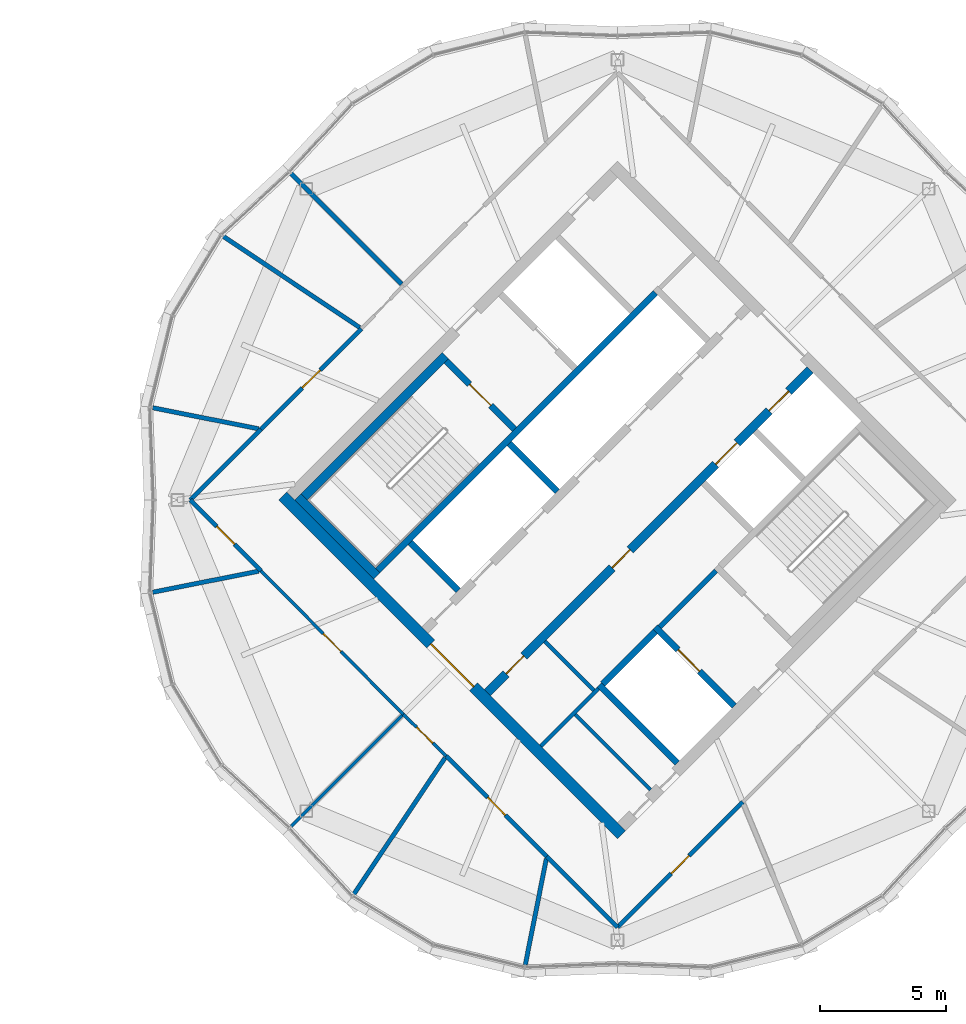
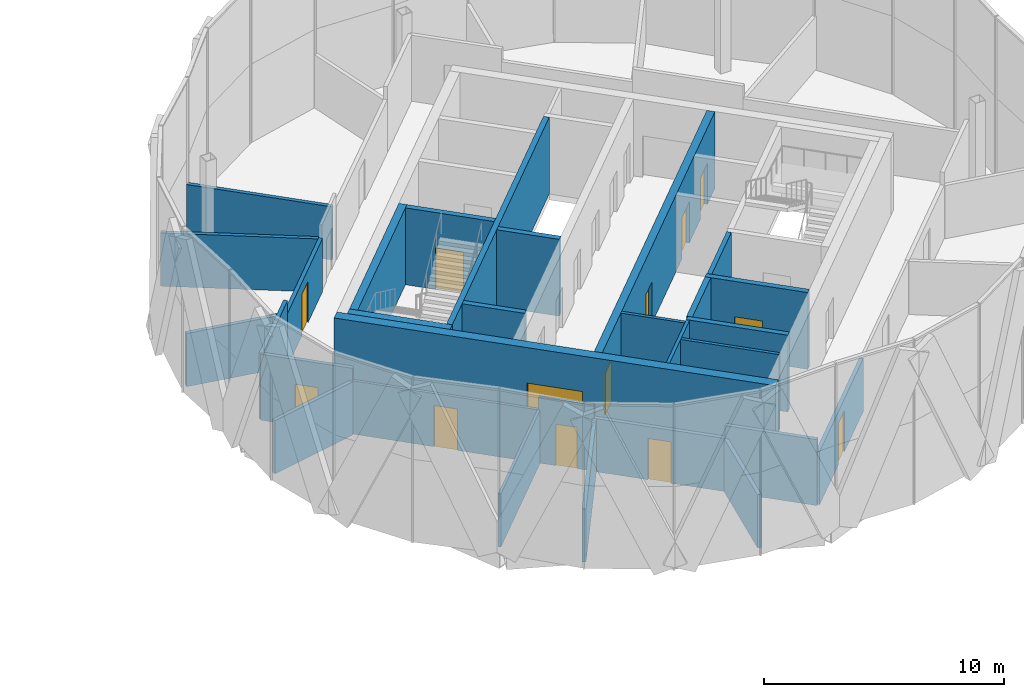
# One storey, part 17 of 22: 30 walls, 13 doors, 13 openings.
"""IFC4 building model written with IfcOpenShell, lengths in metres."""

from ifc_helpers import new_model, si_unit, direction, frame, frame_2d, origin, place, context, subcontext, project, spatial, rectangle, extrude, material, layer, layer_set, type_object, element, fill, save


model = new_model("IFC4")

# Units and contexts
model_context = context("Model", 3, precision=1e-05, world=origin(), true_north=direction((0.0, 1.0)))
body_context = subcontext(model_context, "Body", "Model", "MODEL_VIEW")
ifc_project = project(units=[si_unit("LENGTHUNIT", "METRE"), si_unit("AREAUNIT", "SQUARE_METRE"), si_unit("VOLUMEUNIT", "CUBIC_METRE"), si_unit("PLANEANGLEUNIT", "RADIAN"), si_unit("MASSUNIT", "GRAM", prefix="KILO")], contexts=[model_context])

# Site, building, storey
site_placement = place(None, origin())
site = spatial("IfcSite", under=ifc_project, at=site_placement, CompositionType="ELEMENT")
building_placement = place(site_placement, origin())
building = spatial("IfcBuilding", under=site, at=building_placement, Name="Ogive Gate Towers", CompositionType="ELEMENT")
storey_placement = place(building_placement, frame((0.0, 0.0, 285.60009765625)))
storey = spatial("IfcBuildingStorey", under=building, at=storey_placement, Name="L67", CompositionType="ELEMENT", Elevation=285.60009765625)

# Walls
ifc_material_1 = material(Name="Gypsum board acoustic partition")
ifc_layer_1 = layer(ifc_material_1, 0.175048828125)
ifc_layer_set_1 = layer_set([ifc_layer_1], Name="Acoustic partition 175")
wall_type_1 = type_object("IfcWallType", Name="Acoustic partition 175", PredefinedType="PARTITIONING", material=ifc_layer_set_1)
wall_1_placement = place(storey_placement, frame((23.00732421875, 12.99267578125, 0.0), z_axis=(0.0, 0.0, 1.0), x_axis=(0.707106781187, -0.707106781187, 0.0)))
element("IfcWall", 1, at=wall_1_placement, inside=storey, type_object=wall_type_1, Name="Partition T2-L67-005", PredefinedType="PARTITIONING", context=body_context, shape_type="SweptSolid", body=[
    extrude(rectangle(XDim=6.266845703125, YDim=0.175048828125, at=frame_2d((3.13330078125, 0.0))), origin(), (0.0, 0.0, 1.0), 2.699951171875),
])
wall_2_placement = place(storey_placement, frame((20.302490234375, 10.5, 0.0), z_axis=(0.0, 0.0, 1.0), x_axis=(0.831198479299, -0.555975798045, 0.0)))
element("IfcWall", 2, at=wall_2_placement, inside=storey, type_object=wall_type_1, Name="Partition T2-L67-006", PredefinedType="PARTITIONING", context=body_context, shape_type="SweptSolid", body=[
    extrude(rectangle(XDim=6.57763671875, YDim=0.175048828125, at=frame_2d((3.288818359375, 0.0))), origin(), (0.0, 0.0, 1.0), 2.699951171875),
])
for number, where, z_axis, x_axis, name in (
    (3, (17.559814453125, 3.658203125, 0.0), (0.0, 0.0, 1.0), (0.980890149708, -0.194562365851, 0.0), "Partition T2-L67-007"),
    (4, (17.559814453125, -3.658203125, 0.0), (0.0, 0.0, 1.0), (0.980890149708, 0.194562365851, 0.0), "Partition T2-L67-008"),
):
    element("IfcWall", number, at=place(storey_placement, frame(where, z_axis=z_axis, x_axis=x_axis)), inside=storey, type_object=wall_type_1, Name=name, PredefinedType="PARTITIONING", context=body_context, shape_type="SweptSolid", body=[
        extrude(rectangle(XDim=4.29150390625, YDim=0.175048828125, at=frame_2d((2.145751953125, 0.0))), origin(), (0.0, 0.0, 1.0), 2.699951171875),
    ])
wall_3_placement = place(storey_placement, frame((25.5, -15.697509765625, 0.0), z_axis=(0.0, 0.0, 1.0), x_axis=(0.555975798045, 0.831198479299, 0.0)))
element("IfcWall", 5, at=wall_3_placement, inside=storey, type_object=wall_type_1, Name="Partition T2-L67-010", PredefinedType="PARTITIONING", context=body_context, shape_type="SweptSolid", body=[
    extrude(rectangle(XDim=6.57763671875, YDim=0.175048828125, at=frame_2d((3.288818359375, 0.0))), origin(), (0.0, 0.0, 1.0), 2.699951171875),
])
wall_4_placement = place(storey_placement, frame((32.341796875, -18.440185546875, 0.0), z_axis=(0.0, 0.0, 1.0), x_axis=(0.194562365851, 0.980890149708, 0.0)))
element("IfcWall", 6, at=wall_4_placement, inside=storey, type_object=wall_type_1, Name="Partition T2-L67-011", PredefinedType="PARTITIONING", context=body_context, shape_type="SweptSolid", body=[
    extrude(rectangle(XDim=4.29150390625, YDim=0.175048828125, at=frame_2d((2.145751953125, 0.0))), origin(), (0.0, 0.0, 1.0), 2.699951171875),
])

# Wall, opening, door
wall_5_placement = place(storey_placement, frame((25.84228515625, 6.79443359375, 0.0), z_axis=(0.0, 0.0, 1.0), x_axis=(-0.70699854338, -0.707215002428, 0.0)))
wall_5 = element("IfcWall", 7, at=wall_5_placement, inside=storey, type_object=wall_type_1, Name="Partition T2-L67-025", PredefinedType="PARTITIONING", context=body_context, shape_type="SweptSolid", body=[
    extrude(rectangle(XDim=5.639404296875, YDim=0.175048828125, at=frame_2d((2.81982421875, 0.0))), origin(), (0.0, 0.0, 1.0), 2.699951171875),
])
opening_1_placement = place(wall_5_placement, frame((2.320068359375, 0.0, 0.0)))
opening_1 = element("IfcOpeningElement", 8, at=opening_1_placement, cuts=wall_5, Name="Opening T2-L67-D09", PredefinedType="OPENING", context=body_context, shape_type="SweptSolid", body=[
    extrude(rectangle(XDim=1.0, YDim=2.10009765625, at=frame_2d((0.5, 1.050048828125))), frame((0.0, 0.09765625, 0.0), z_axis=(0.0, -1.0, 0.0), x_axis=(1.0, 0.0, 0.0)), (0.0, 0.0, 1.0), 0.195068359375),
])
ifc_material_2 = material(Name="Timber door", Category="wood")
door_type_1 = type_object("IfcDoorType", Name="Door 1000", OperationType="NOTDEFINED", PredefinedType="DOOR", material=ifc_material_2)
door_1_placement = place(opening_1_placement, origin())
door_1 = element("IfcDoor", 9, at=door_1_placement, inside=storey, type_object=door_type_1, Name="Door T2-L67-D09", OperationType="SINGLE_SWING_LEFT", OverallHeight=2.10009765625, OverallWidth=1.0, PredefinedType="DOOR", context=body_context, shape_type="SweptSolid", body=[
    extrude(rectangle(XDim=1.0, YDim=2.10009765625, at=frame_2d((0.5, 1.050048828125))), frame((0.0, 0.02490234375, 0.0), z_axis=(0.0, -1.0, 0.0), x_axis=(1.0, 0.0, 0.0)), (0.0, 0.0, 1.0), 0.050048828125),
])
fill(opening_1, door_1)

wall_6_placement = place(storey_placement, frame((19.0576171875, 0.0, 0.0), z_axis=(0.0, 0.0, 1.0), x_axis=(0.706027724956, -0.708184193267, 0.0)))
wall_6 = element("IfcWall", 10, at=wall_6_placement, inside=storey, type_object=wall_type_1, Name="Partition T2-L67-026", PredefinedType="PARTITIONING", context=body_context, shape_type="SweptSolid", body=[
    extrude(rectangle(XDim=3.96240234375, YDim=0.175048828125, at=frame_2d((1.981201171875, 0.0))), origin(), (0.0, 0.0, 1.0), 3.349853515625),
])
opening_2_placement = place(wall_6_placement, frame((1.48095703125, 0.0, 0.0)))
opening_2 = element("IfcOpeningElement", 11, at=opening_2_placement, cuts=wall_6, Name="Opening T2-L67-D10", PredefinedType="OPENING", context=body_context, shape_type="SweptSolid", body=[
    extrude(rectangle(XDim=1.0, YDim=2.10009765625, at=frame_2d((0.5, 1.050048828125))), frame((0.0, 0.09765625, 0.0), z_axis=(0.0, -1.0, 0.0), x_axis=(1.0, 0.0, 0.0)), (0.0, 0.0, 1.0), 0.195068359375),
])
door_2_placement = place(opening_2_placement, origin())
door_2 = element("IfcDoor", 12, at=door_2_placement, inside=storey, type_object=door_type_1, Name="Door T2-L67-D10", OperationType="SINGLE_SWING_RIGHT", OverallHeight=2.10009765625, OverallWidth=1.0, PredefinedType="DOOR", context=body_context, shape_type="SweptSolid", body=[
    extrude(rectangle(XDim=1.0, YDim=2.10009765625, at=frame_2d((0.5, 1.050048828125))), frame((0.0, 0.02490234375, 0.0), z_axis=(0.0, -1.0, 0.0), x_axis=(1.0, 0.0, 0.0)), (0.0, 0.0, 1.0), 0.050048828125),
])
fill(opening_2, door_2)

# Wall
wall_7_placement = place(storey_placement, frame((21.855224609375, 2.80615234375, 0.0), z_axis=(0.0, 0.0, 1.0), x_axis=(-0.706027724956, -0.708184193267, 0.0)))
element("IfcWall", 13, at=wall_7_placement, inside=storey, type_object=wall_type_1, Name="Partition T2-L67-027", PredefinedType="PARTITIONING", context=body_context, shape_type="SweptSolid", body=[
    extrude(rectangle(XDim=3.96240234375, YDim=0.175048828125, at=frame_2d((1.981201171875, 0.0))), origin(), (0.0, 0.0, 1.0), 3.349853515625),
])

# Wall, opening, door
wall_8_placement = place(storey_placement, frame((29.20556640625, -10.15771484375, 0.0), z_axis=(0.0, 0.0, 1.0), x_axis=(0.707215002428, -0.70699854338, 0.0)))
wall_8 = element("IfcWall", 14, at=wall_8_placement, inside=storey, type_object=wall_type_1, Name="Partition T2-L67-030", PredefinedType="PARTITIONING", context=body_context, shape_type="SweptSolid", body=[
    extrude(rectangle(XDim=5.639404296875, YDim=0.175048828125, at=frame_2d((2.81982421875, 0.0))), origin(), (0.0, 0.0, 1.0), 2.699951171875),
])
opening_3_placement = place(wall_8_placement, frame((2.320068359375, 0.0, 0.0)))
opening_3 = element("IfcOpeningElement", 15, at=opening_3_placement, cuts=wall_8, Name="Opening T2-L67-D13", PredefinedType="OPENING", context=body_context, shape_type="SweptSolid", body=[
    extrude(rectangle(XDim=1.0, YDim=2.10009765625, at=frame_2d((0.5, 1.050048828125))), frame((0.0, 0.09765625, 0.0), z_axis=(0.0, -1.0, 0.0), x_axis=(1.0, 0.0, 0.0)), (0.0, 0.0, 1.0), 0.195068359375),
])
door_3_placement = place(opening_3_placement, origin())
door_3 = element("IfcDoor", 16, at=door_3_placement, inside=storey, type_object=door_type_1, Name="Door T2-L67-D13", OperationType="SINGLE_SWING_LEFT", OverallHeight=2.10009765625, OverallWidth=1.0, PredefinedType="DOOR", context=body_context, shape_type="SweptSolid", body=[
    extrude(rectangle(XDim=1.0, YDim=2.10009765625, at=frame_2d((0.5, 1.050048828125))), frame((0.0, 0.02490234375, 0.0), z_axis=(0.0, -1.0, 0.0), x_axis=(1.0, 0.0, 0.0)), (0.0, 0.0, 1.0), 0.050048828125),
])
fill(opening_3, door_3)

wall_9_placement = place(storey_placement, frame((36.0, -16.9423828125, 0.0), z_axis=(0.0, 0.0, 1.0), x_axis=(0.707489442879, 0.706723912299, 0.0)))
wall_9 = element("IfcWall", 17, at=wall_9_placement, inside=storey, type_object=wall_type_1, Name="Partition T2-L67-031", PredefinedType="PARTITIONING", context=body_context, shape_type="SweptSolid", body=[
    extrude(rectangle(XDim=7.01611328125, YDim=0.175048828125, at=frame_2d((3.508056640625, 0.0))), origin(), (0.0, 0.0, 1.0), 2.699951171875),
])
opening_4_placement = place(wall_9_placement, frame((3.008056640625, 0.0, 0.0)))
opening_4 = element("IfcOpeningElement", 18, at=opening_4_placement, cuts=wall_9, Name="Opening T2-L67-D14", PredefinedType="OPENING", context=body_context, shape_type="SweptSolid", body=[
    extrude(rectangle(XDim=1.0, YDim=2.10009765625, at=frame_2d((0.5, 1.050048828125))), frame((0.0, 0.09765625, 0.0), z_axis=(0.0, -1.0, 0.0), x_axis=(1.0, 0.0, 0.0)), (0.0, 0.0, 1.0), 0.195068359375),
])
door_4_placement = place(opening_4_placement, origin())
door_4 = element("IfcDoor", 19, at=door_4_placement, inside=storey, type_object=door_type_1, Name="Door T2-L67-D14", OperationType="SINGLE_SWING_LEFT", OverallHeight=2.10009765625, OverallWidth=1.0, PredefinedType="DOOR", context=body_context, shape_type="SweptSolid", body=[
    extrude(rectangle(XDim=1.0, YDim=2.10009765625, at=frame_2d((0.5, 1.050048828125))), frame((0.0, 0.02490234375, 0.0), z_axis=(0.0, -1.0, 0.0), x_axis=(1.0, 0.0, 0.0)), (0.0, 0.0, 1.0), 0.050048828125),
])
fill(opening_4, door_4)

# Walls
wall_10_placement = place(storey_placement, frame((33.19384765625, -14.144775390625, 0.0), z_axis=(0.0, 0.0, 1.0), x_axis=(0.708184193267, -0.706027724956, 0.0)))
element("IfcWall", 20, at=wall_10_placement, inside=storey, type_object=wall_type_1, Name="Partition T2-L67-032", PredefinedType="PARTITIONING", context=body_context, shape_type="SweptSolid", body=[
    extrude(rectangle(XDim=3.96240234375, YDim=0.175048828125, at=frame_2d((1.981201171875, 0.0))), origin(), (0.0, 0.0, 1.0), 3.349853515625),
])
ifc_material_3 = material(Name="Masonry blockwork", Category="masonry")
ifc_layer_2 = layer(ifc_material_3, 0.199951171875)
ifc_layer_set_2 = layer_set([ifc_layer_2], Name="Blockwork wall 200 mm")
wall_type_2 = type_object("IfcWallType", Name="Blockwork wall 200 mm", PredefinedType="PARTITIONING", material=ifc_layer_set_2)
wall_11_placement = place(storey_placement, frame((37.679443359375, -5.0380859375, 0.0), z_axis=(0.0, 0.0, 1.0), x_axis=(0.707106781187, 0.707106781187, 0.0)))
element("IfcWall", 21, at=wall_11_placement, inside=storey, type_object=wall_type_2, Name="T2 L67 Blockwork wall 200 mm", PredefinedType="PARTITIONING", context=body_context, shape_type="SweptSolid", body=[
    extrude(rectangle(XDim=3.14990234375, YDim=0.199951171875, at=frame_2d((1.574951171875, 0.0))), origin(), (0.0, 0.0, 1.0), 3.89990234375),
])

# Wall, opening, door
ifc_material_4 = material(Name="Concrete C60/75", Category="concrete")
ifc_layer_3 = layer(ifc_material_4, 0.449951171875)
ifc_layer_set_3 = layer_set([ifc_layer_3], Name="Core wall 450 mm")
wall_type_3 = type_object("IfcWallType", Name="Core wall 450 mm", PredefinedType="SHEAR", material=ifc_layer_set_3)
wall_12_placement = place(storey_placement, frame((36.1591796875, -13.27587890625, 0.0), z_axis=(0.0, 0.0, 1.0), x_axis=(-0.707106781187, 0.707106781187, 0.0)))
wall_12 = element("IfcWall", 22, at=wall_12_placement, inside=storey, type_object=wall_type_3, Name="T2 L67 Core wall 450 mm", PredefinedType="SHEAR", context=body_context, shape_type="SweptSolid", body=[
    extrude(rectangle(XDim=19.0, YDim=0.449951171875, at=frame_2d((9.5, 0.0))), origin(), (0.0, 0.0, 1.0), 3.89990234375),
])
opening_5_placement = place(wall_12_placement, frame((8.300048828125, 0.0, 0.0)))
opening_5 = element("IfcOpeningElement", 23, at=opening_5_placement, cuts=wall_12, Name="Opening KD-T2-L67-01", PredefinedType="OPENING", context=body_context, shape_type="SweptSolid", body=[
    extrude(rectangle(XDim=2.39990234375, YDim=2.10009765625, at=frame_2d((1.199951171875, 1.050048828125))), frame((0.0, 0.23486328125, 0.0), z_axis=(0.0, -1.0, 0.0), x_axis=(1.0, 0.0, 0.0)), (0.0, 0.0, 1.0), 0.469970703125),
])
ifc_material_5 = material(Name="Steel fire door", Category="steel")
door_type_2 = type_object("IfcDoorType", Name="Core double door FD60S 2400 x 2100", OperationType="DOUBLE_DOOR_SINGLE_SWING", PredefinedType="DOOR", material=ifc_material_5)
door_5_placement = place(opening_5_placement, origin())
door_5 = element("IfcDoor", 24, at=door_5_placement, inside=storey, type_object=door_type_2, Name="T2 L67 Core door double", OperationType="DOUBLE_DOOR_SINGLE_SWING", OverallHeight=2.10009765625, OverallWidth=2.39990234375, PredefinedType="DOOR", context=body_context, shape_type="SweptSolid", body=[
    extrude(rectangle(XDim=2.39990234375, YDim=2.10009765625, at=frame_2d((1.199951171875, 1.050048828125))), frame((0.0, 0.02490234375, 0.0), z_axis=(0.0, -1.0, 0.0), x_axis=(1.0, 0.0, 0.0)), (0.0, 0.0, 1.0), 0.050048828125),
])
fill(opening_5, door_5)

# Wall
ifc_material_6 = material(Name="Gypsum board partition")
ifc_layer_4 = layer(ifc_material_6, 0.125)
ifc_layer_set_4 = layer_set([ifc_layer_4], Name="Partition 125")
wall_type_4 = type_object("IfcWallType", Name="Partition 125", PredefinedType="PARTITIONING", material=ifc_layer_set_4)
wall_13_placement = place(storey_placement, frame((23.00732421875, -12.99267578125, 0.0), z_axis=(0.0, 0.0, 1.0), x_axis=(0.707106781187, 0.707106781187, 0.0)))
element("IfcWall", 25, at=wall_13_placement, inside=storey, type_object=wall_type_4, Name="Partition T2-L67-009", PredefinedType="PARTITIONING", context=body_context, shape_type="SweptSolid", body=[
    extrude(rectangle(XDim=6.291748046875, YDim=0.125, at=frame_2d((3.14599609375, 0.0))), origin(), (0.0, 0.0, 1.0), 2.699951171875),
])

# Wall, opening, door
wall_14_placement = place(storey_placement, frame((21.855224609375, -2.80615234375, 0.0), z_axis=(0.0, 0.0, 1.0), x_axis=(0.704101070588, -0.710099769326, 0.0)))
wall_14 = element("IfcWall", 26, at=wall_14_placement, inside=storey, type_object=wall_type_4, Name="Partition T2-L67-028", PredefinedType="PARTITIONING", context=body_context, shape_type="SweptSolid", body=[
    extrude(rectangle(XDim=8.017578125, YDim=0.125, at=frame_2d((4.0087890625, 0.0))), origin(), (0.0, 0.0, 1.0), 2.699951171875),
])
opening_6_placement = place(wall_14_placement, frame((3.509033203125, 0.0, 0.0)))
opening_6 = element("IfcOpeningElement", 27, at=opening_6_placement, cuts=wall_14, Name="Opening T2-L67-D11", PredefinedType="OPENING", context=body_context, shape_type="SweptSolid", body=[
    extrude(rectangle(XDim=1.0, YDim=2.10009765625, at=frame_2d((0.5, 1.050048828125))), frame((0.0, 0.072509765625, 0.0), z_axis=(0.0, -1.0, 0.0), x_axis=(1.0, 0.0, 0.0)), (0.0, 0.0, 1.0), 0.14501953125),
])
door_6_placement = place(opening_6_placement, origin())
door_6 = element("IfcDoor", 28, at=door_6_placement, inside=storey, type_object=door_type_1, Name="Door T2-L67-D11", OperationType="SINGLE_SWING_RIGHT", OverallHeight=2.10009765625, OverallWidth=1.0, PredefinedType="DOOR", context=body_context, shape_type="SweptSolid", body=[
    extrude(rectangle(XDim=1.0, YDim=2.10009765625, at=frame_2d((0.5, 1.050048828125))), frame((0.0, 0.02490234375, 0.0), z_axis=(0.0, -1.0, 0.0), x_axis=(1.0, 0.0, 0.0)), (0.0, 0.0, 1.0), 0.050048828125),
])
fill(opening_6, door_6)

wall_15_placement = place(storey_placement, frame((27.50048828125, -8.49951171875, 0.0), z_axis=(0.0, 0.0, 1.0), x_axis=(0.716892303954, -0.697183924464, 0.0)))
wall_15 = element("IfcWall", 29, at=wall_15_placement, inside=storey, type_object=wall_type_4, Name="Partition T2-L67-029", PredefinedType="PARTITIONING", context=body_context, shape_type="SweptSolid", body=[
    extrude(rectangle(XDim=2.37841796875, YDim=0.125, at=frame_2d((1.189208984375, 0.0))), origin(), (0.0, 0.0, 1.0), 3.349853515625),
])
opening_7_placement = place(wall_15_placement, frame((0.739013671875, 0.0, 0.0)))
opening_7 = element("IfcOpeningElement", 30, at=opening_7_placement, cuts=wall_15, Name="Opening T2-L67-D12", PredefinedType="OPENING", context=body_context, shape_type="SweptSolid", body=[
    extrude(rectangle(XDim=0.89990234375, YDim=2.10009765625, at=frame_2d((0.449951171875, 1.050048828125))), frame((0.0, 0.072509765625, 0.0), z_axis=(0.0, -1.0, 0.0), x_axis=(1.0, 0.0, 0.0)), (0.0, 0.0, 1.0), 0.14501953125),
])
door_type_3 = type_object("IfcDoorType", Name="Door 900", OperationType="NOTDEFINED", PredefinedType="DOOR", material=ifc_material_2)
door_7_placement = place(opening_7_placement, origin())
door_7 = element("IfcDoor", 31, at=door_7_placement, inside=storey, type_object=door_type_3, Name="Door T2-L67-D12", OperationType="SINGLE_SWING_LEFT", OverallHeight=2.10009765625, OverallWidth=0.89990234375, PredefinedType="DOOR", context=body_context, shape_type="SweptSolid", body=[
    extrude(rectangle(XDim=0.89990234375, YDim=2.10009765625, at=frame_2d((0.449951171875, 1.050048828125))), frame((0.0, 0.02490234375, 0.0), z_axis=(0.0, -1.0, 0.0), x_axis=(1.0, 0.0, 0.0)), (0.0, 0.0, 1.0), 0.050048828125),
])
fill(opening_7, door_7)

# Walls
ifc_layer_5 = layer(ifc_material_6, 0.14990234375)
ifc_layer_set_5 = layer_set([ifc_layer_5], Name="Room partition 150 mm")
wall_type_5 = type_object("IfcWallType", Name="Room partition 150 mm", PredefinedType="PARTITIONING", material=ifc_layer_set_5)
wall_16_placement = place(storey_placement, frame((32.95947265625, -9.758056640625, 0.0), z_axis=(0.0, 0.0, 1.0), x_axis=(0.707144631829, 0.707068928518, 0.0)))
element("IfcWall", 32, at=wall_16_placement, inside=storey, type_object=wall_type_5, Name="T2 L67 Room partition 150 mm", PredefinedType="PARTITIONING", context=body_context, shape_type="SweptSolid", body=[
    extrude(rectangle(XDim=3.224853515625, YDim=0.14990234375, at=frame_2d((1.6123046875, 0.0))), origin(), (0.0, 0.0, 1.0), 3.89990234375),
])
wall_17_placement = place(storey_placement, frame((37.30810546875, -11.490478515625, 0.0), z_axis=(0.0, 0.0, 1.0), x_axis=(-0.707106781187, 0.707106781187, 0.0)))
element("IfcWall", 33, at=wall_17_placement, inside=storey, type_object=wall_type_5, Name="T2 L67 Room partition 150 mm", PredefinedType="PARTITIONING", context=body_context, shape_type="SweptSolid", body=[
    extrude(rectangle(XDim=4.22509765625, YDim=0.14990234375, at=frame_2d((2.112548828125, 0.0))), origin(), (0.0, 0.0, 1.0), 3.89990234375),
])
wall_18_placement = place(storey_placement, frame((35.06298828125, -7.54833984375, 0.0), z_axis=(0.0, 0.0, 1.0), x_axis=(-0.707106781187, 0.707106781187, 0.0)))
element("IfcWall", 34, at=wall_18_placement, inside=storey, type_object=wall_type_5, Name="T2 L67 Room partition 150 mm", PredefinedType="PARTITIONING", context=body_context, shape_type="SweptSolid", body=[
    extrude(rectangle(XDim=2.75, YDim=0.14990234375, at=frame_2d((1.375, 0.0))), origin(), (0.0, 0.0, 1.0), 3.89990234375),
])
ifc_layer_6 = layer(ifc_material_4, 0.25)
ifc_layer_set_6 = layer_set([ifc_layer_6], Name="Shaft wall 250 mm")
wall_type_6 = type_object("IfcWallType", Name="Shaft wall 250 mm", PredefinedType="SHEAR", material=ifc_layer_set_6)
wall_19_placement = place(storey_placement, frame((35.41650390625, -7.30078125, 0.0), z_axis=(0.0, 0.0, 1.0), x_axis=(0.707148157867, 0.707065402085, 0.0)))
element("IfcWall", 35, at=wall_19_placement, inside=storey, type_object=wall_type_6, Name="T2 L67 Shaft wall 250 mm", PredefinedType="SHEAR", context=body_context, shape_type="SweptSolid", body=[
    extrude(rectangle(XDim=2.9501953125, YDim=0.25, at=frame_2d((1.47509765625, 0.0))), origin(), (0.0, 0.0, 1.0), 3.89990234375),
])
wall_20_placement = place(storey_placement, frame((26.489501953125, -2.793212890625, 0.0), z_axis=(0.0, 0.0, 1.0), x_axis=(0.707098943647, 0.70711461864, 0.0)))
element("IfcWall", 36, at=wall_20_placement, inside=storey, type_object=wall_type_6, Name="T2 L67 Shaft wall 250 mm", PredefinedType="SHEAR", context=body_context, shape_type="SweptSolid", body=[
    extrude(rectangle(XDim=15.5751953125, YDim=0.25, at=frame_2d((7.78759765625, 0.0))), origin(), (0.0, 0.0, 1.0), 3.89990234375),
])
wall_21_placement = place(storey_placement, frame((29.689208984375, -3.588623046875, 0.0), z_axis=(0.0, 0.0, 1.0), x_axis=(-0.707151988282, 0.707061571201, 0.0)))
element("IfcWall", 37, at=wall_21_placement, inside=storey, type_object=wall_type_6, Name="T2 L67 Shaft wall 250 mm", PredefinedType="SHEAR", context=body_context, shape_type="SweptSolid", body=[
    extrude(rectangle(XDim=2.7001953125, YDim=0.25, at=frame_2d((1.35009765625, 0.0))), origin(), (0.0, 0.0, 1.0), 3.89990234375),
])
wall_22_placement = place(storey_placement, frame((38.368896484375, -10.4296875, 0.0), z_axis=(0.0, 0.0, 1.0), x_axis=(-0.707134682099, 0.707078879173, 0.0)))
element("IfcWall", 38, at=wall_22_placement, inside=storey, type_object=wall_type_6, Name="T2 L67 Shaft wall 250 mm", PredefinedType="SHEAR", context=body_context, shape_type="SweptSolid", body=[
    extrude(rectangle(XDim=4.375, YDim=0.25, at=frame_2d((2.1875, 0.0))), origin(), (0.0, 0.0, 1.0), 3.89990234375),
])

# Wall, opening, door
wall_23_placement = place(storey_placement, frame((40.631591796875, -8.1669921875, 0.0), z_axis=(0.0, 0.0, 1.0), x_axis=(-0.707106781187, 0.707106781187, 0.0)))
wall_23 = element("IfcWall", 39, at=wall_23_placement, inside=storey, type_object=wall_type_6, Name="T2 L67 Shaft wall 250 mm", PredefinedType="SHEAR", context=body_context, shape_type="SweptSolid", body=[
    extrude(rectangle(XDim=4.425048828125, YDim=0.25, at=frame_2d((2.21240234375, 0.0))), origin(), (0.0, 0.0, 1.0), 3.89990234375),
])
opening_8_placement = place(wall_23_placement, frame((1.949951171875, 0.0, 0.0)))
opening_8 = element("IfcOpeningElement", 40, at=opening_8_placement, cuts=wall_23, Name="Opening LD-T2-L67-13", PredefinedType="OPENING", context=body_context, shape_type="SweptSolid", body=[
    extrude(rectangle(XDim=1.199951171875, YDim=2.10009765625, at=frame_2d((0.60009765625, 1.050048828125))), frame((0.0, 0.135009765625, 0.0), z_axis=(0.0, -1.0, 0.0), x_axis=(1.0, 0.0, 0.0)), (0.0, 0.0, 1.0), 0.27001953125),
])
ifc_material_7 = material(Name="Stainless steel landing door", Category="steel")
door_type_4 = type_object("IfcDoorType", Name="Landing door 1200 x 2100", OperationType="SLIDING_TO_LEFT", PredefinedType="DOOR", material=ifc_material_7)
door_8_placement = place(opening_8_placement, origin())
door_8 = element("IfcDoor", 41, at=door_8_placement, inside=storey, type_object=door_type_4, Name="T2 L67 Lift landing door FF2", OperationType="SLIDING_TO_LEFT", OverallHeight=2.10009765625, OverallWidth=1.199951171875, PredefinedType="DOOR", context=body_context, shape_type="SweptSolid", body=[
    extrude(rectangle(XDim=1.199951171875, YDim=2.10009765625, at=frame_2d((0.60009765625, 1.050048828125))), frame((0.0, 0.02490234375, 0.0), z_axis=(0.0, -1.0, 0.0), x_axis=(1.0, 0.0, 0.0)), (0.0, 0.0, 1.0), 0.050048828125),
])
fill(opening_8, door_8)

# Wall
wall_24_placement = place(storey_placement, frame((33.613525390625, 0.3359375, 0.0), z_axis=(0.0, 0.0, 1.0), x_axis=(-0.707106781187, 0.707106781187, 0.0)))
element("IfcWall", 42, at=wall_24_placement, inside=storey, type_object=wall_type_6, Name="T2 L67 Shaft wall 250 mm", PredefinedType="SHEAR", context=body_context, shape_type="SweptSolid", body=[
    extrude(rectangle(XDim=2.699951171875, YDim=0.25, at=frame_2d((1.35009765625, 0.0))), origin(), (0.0, 0.0, 1.0), 3.89990234375),
])

# Wall, opening, door
wall_25_placement = place(storey_placement, frame((31.91650390625, 2.810791015625, 0.0), z_axis=(0.0, 0.0, 1.0), x_axis=(-0.707106781187, 0.707106781187, 0.0)))
wall_25 = element("IfcWall", 43, at=wall_25_placement, inside=storey, type_object=wall_type_6, Name="T2 L67 Shaft wall 250 mm", PredefinedType="SHEAR", context=body_context, shape_type="SweptSolid", body=[
    extrude(rectangle(XDim=3.824951171875, YDim=0.25, at=frame_2d((1.91259765625, 0.0))), origin(), (0.0, 0.0, 1.0), 3.89990234375),
])
opening_9_placement = place(wall_25_placement, frame((1.324951171875, 0.0, 0.0)))
opening_9 = element("IfcOpeningElement", 44, at=opening_9_placement, cuts=wall_25, Name="Opening KD-T2-L67-16", PredefinedType="OPENING", context=body_context, shape_type="SweptSolid", body=[
    extrude(rectangle(XDim=1.199951171875, YDim=2.10009765625, at=frame_2d((0.60009765625, 1.050048828125))), frame((0.0, 0.135009765625, 0.0), z_axis=(0.0, -1.0, 0.0), x_axis=(1.0, 0.0, 0.0)), (0.0, 0.0, 1.0), 0.27001953125),
])
door_type_5 = type_object("IfcDoorType", Name="Core door FD60S 1200 x 2100", OperationType="NOTDEFINED", PredefinedType="DOOR", material=ifc_material_5)
door_9_placement = place(opening_9_placement, origin())
door_9 = element("IfcDoor", 45, at=door_9_placement, inside=storey, type_object=door_type_5, Name="T2 L67 Stair door", OperationType="SINGLE_SWING_LEFT", OverallHeight=2.10009765625, OverallWidth=1.199951171875, PredefinedType="DOOR", context=body_context, shape_type="SweptSolid", body=[
    extrude(rectangle(XDim=1.199951171875, YDim=2.10009765625, at=frame_2d((0.60009765625, 1.050048828125))), frame((0.0, 0.02490234375, 0.0), z_axis=(0.0, -1.0, 0.0), x_axis=(1.0, 0.0, 0.0)), (0.0, 0.0, 1.0), 0.050048828125),
])
fill(opening_9, door_9)

# Wall, openings, doors
ifc_layer_7 = layer(ifc_material_4, 0.35009765625)
ifc_layer_set_7 = layer_set([ifc_layer_7], Name="Spine wall 350 mm")
wall_type_7 = type_object("IfcWallType", Name="Spine wall 350 mm", PredefinedType="SHEAR", material=ifc_layer_set_7)
wall_26_placement = place(storey_placement, frame((30.838134765625, -7.63671875, 0.0), z_axis=(0.0, 0.0, 1.0), x_axis=(0.707106781187, 0.707106781187, 0.0)))
wall_26 = element("IfcWall", 46, at=wall_26_placement, inside=storey, type_object=wall_type_7, Name="T2 L67 Spine wall 350 mm", PredefinedType="SHEAR", context=body_context, shape_type="SweptSolid", body=[
    extrude(rectangle(XDim=18.099853515625, YDim=0.35009765625, at=frame_2d((9.0498046875, 0.0))), origin(), (0.0, 0.0, 1.0), 3.89990234375),
])
opening_10_placement = place(wall_26_placement, frame((12.800048828125, 0.0, 0.0)))
opening_10 = element("IfcOpeningElement", 47, at=opening_10_placement, cuts=wall_26, Name="Opening LD-T2-L67-10", PredefinedType="OPENING", context=body_context, shape_type="SweptSolid", body=[
    extrude(rectangle(XDim=1.199951171875, YDim=2.10009765625, at=frame_2d((0.60009765625, 1.050048828125))), frame((0.0, 0.18505859375, 0.0), z_axis=(0.0, -1.0, 0.0), x_axis=(1.0, 0.0, 0.0)), (0.0, 0.0, 1.0), 0.3701171875),
])
opening_11_placement = place(wall_26_placement, frame((15.800048828125, 0.0, 0.0)))
opening_11 = element("IfcOpeningElement", 48, at=opening_11_placement, cuts=wall_26, Name="Opening LD-T2-L67-11", PredefinedType="OPENING", context=body_context, shape_type="SweptSolid", body=[
    extrude(rectangle(XDim=1.10009765625, YDim=2.10009765625, at=frame_2d((0.550048828125, 1.050048828125))), frame((0.0, 0.18505859375, 0.0), z_axis=(0.0, -1.0, 0.0), x_axis=(1.0, 0.0, 0.0)), (0.0, 0.0, 1.0), 0.3701171875),
])
opening_12_placement = place(wall_26_placement, frame((1.050048828125, 0.0, 0.0)))
opening_12 = element("IfcOpeningElement", 49, at=opening_12_placement, cuts=wall_26, Name="Opening KD-T2-L67-14", PredefinedType="OPENING", context=body_context, shape_type="SweptSolid", body=[
    extrude(rectangle(XDim=1.0, YDim=2.10009765625, at=frame_2d((0.5, 1.050048828125))), frame((0.0, 0.18505859375, 0.0), z_axis=(0.0, -1.0, 0.0), x_axis=(1.0, 0.0, 0.0)), (0.0, 0.0, 1.0), 0.3701171875),
])
opening_13_placement = place(wall_26_placement, frame((7.0, 0.0, 0.0)))
opening_13 = element("IfcOpeningElement", 50, at=opening_13_placement, cuts=wall_26, Name="Opening KD-T2-L67-15", PredefinedType="OPENING", context=body_context, shape_type="SweptSolid", body=[
    extrude(rectangle(XDim=1.0, YDim=2.10009765625, at=frame_2d((0.5, 1.050048828125))), frame((0.0, 0.18505859375, 0.0), z_axis=(0.0, -1.0, 0.0), x_axis=(1.0, 0.0, 0.0)), (0.0, 0.0, 1.0), 0.3701171875),
])
door_type_6 = type_object("IfcDoorType", Name="Core door FD60S 1000 x 2100", OperationType="NOTDEFINED", PredefinedType="DOOR", material=ifc_material_5)
door_10_placement = place(opening_12_placement, origin())
door_10 = element("IfcDoor", 51, at=door_10_placement, inside=storey, type_object=door_type_6, Name="T2 L67 Core door", OperationType="SINGLE_SWING_LEFT", OverallHeight=2.10009765625, OverallWidth=1.0, PredefinedType="DOOR", context=body_context, shape_type="SweptSolid", body=[
    extrude(rectangle(XDim=1.0, YDim=2.10009765625, at=frame_2d((0.5, 1.050048828125))), frame((0.0, 0.02490234375, 0.0), z_axis=(0.0, -1.0, 0.0), x_axis=(1.0, 0.0, 0.0)), (0.0, 0.0, 1.0), 0.050048828125),
])
fill(opening_12, door_10)
door_11_placement = place(opening_13_placement, origin())
door_11 = element("IfcDoor", 52, at=door_11_placement, inside=storey, type_object=door_type_6, Name="T2 L67 Core door", OperationType="SINGLE_SWING_RIGHT", OverallHeight=2.10009765625, OverallWidth=1.0, PredefinedType="DOOR", context=body_context, shape_type="SweptSolid", body=[
    extrude(rectangle(XDim=1.0, YDim=2.10009765625, at=frame_2d((0.5, 1.050048828125))), frame((0.0, 0.02490234375, 0.0), z_axis=(0.0, -1.0, 0.0), x_axis=(1.0, 0.0, 0.0)), (0.0, 0.0, 1.0), 0.050048828125),
])
fill(opening_13, door_11)
door_type_7 = type_object("IfcDoorType", Name="Landing door 1100 x 2100", OperationType="SLIDING_TO_LEFT", PredefinedType="DOOR", material=ifc_material_7)
door_12_placement = place(opening_11_placement, origin())
door_12 = element("IfcDoor", 53, at=door_12_placement, inside=storey, type_object=door_type_7, Name="T2 L67 Lift landing door B6", OperationType="SLIDING_TO_LEFT", OverallHeight=2.10009765625, OverallWidth=1.10009765625, PredefinedType="DOOR", context=body_context, shape_type="SweptSolid", body=[
    extrude(rectangle(XDim=1.10009765625, YDim=2.10009765625, at=frame_2d((0.550048828125, 1.050048828125))), frame((0.0, 0.02490234375, 0.0), z_axis=(0.0, -1.0, 0.0), x_axis=(1.0, 0.0, 0.0)), (0.0, 0.0, 1.0), 0.050048828125),
])
fill(opening_11, door_12)
door_13_placement = place(opening_10_placement, origin())
door_13 = element("IfcDoor", 54, at=door_13_placement, inside=storey, type_object=door_type_4, Name="T2 L67 Lift landing door SVC", OperationType="SLIDING_TO_LEFT", OverallHeight=2.10009765625, OverallWidth=1.199951171875, PredefinedType="DOOR", context=body_context, shape_type="SweptSolid", body=[
    extrude(rectangle(XDim=1.199951171875, YDim=2.10009765625, at=frame_2d((0.60009765625, 1.050048828125))), frame((0.0, 0.02490234375, 0.0), z_axis=(0.0, -1.0, 0.0), x_axis=(1.0, 0.0, 0.0)), (0.0, 0.0, 1.0), 0.050048828125),
])
fill(opening_10, door_13)

# Walls
ifc_layer_8 = layer(ifc_material_4, 0.35009765625)
ifc_layer_set_8 = layer_set([ifc_layer_8], Name="Stair wall 350 mm")
wall_type_8 = type_object("IfcWallType", Name="Stair wall 350 mm", PredefinedType="SHEAR", material=ifc_layer_set_8)
wall_27_placement = place(storey_placement, frame((23.572509765625, 0.123779296875, 0.0), z_axis=(0.0, 0.0, 1.0), x_axis=(0.707122184046, 0.707091377991, 0.0)))
element("IfcWall", 55, at=wall_27_placement, inside=storey, type_object=wall_type_8, Name="T2 L67 Stair wall 350 mm", PredefinedType="SHEAR", context=body_context, shape_type="SweptSolid", body=[
    extrude(rectangle(XDim=7.925048828125, YDim=0.35009765625, at=frame_2d((3.96240234375, 0.0))), origin(), (0.0, 0.0, 1.0), 3.89990234375),
])
wall_28_placement = place(storey_placement, frame((26.4541015625, -3.005126953125, 0.0), z_axis=(0.0, 0.0, 1.0), x_axis=(-0.707106781187, 0.707106781187, 0.0)))
element("IfcWall", 56, at=wall_28_placement, inside=storey, type_object=wall_type_8, Name="T2 L67 Stair wall 350 mm", PredefinedType="SHEAR", context=body_context, shape_type="SweptSolid", body=[
    extrude(rectangle(XDim=4.425048828125, YDim=0.35009765625, at=frame_2d((2.21240234375, 0.0))), origin(), (0.0, 0.0, 1.0), 3.89990234375),
])

save(model, "model.ifc")
